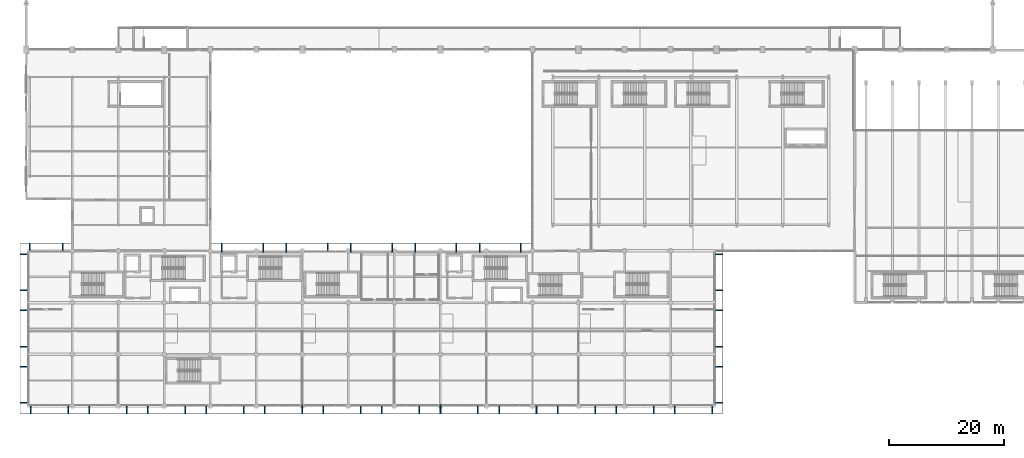
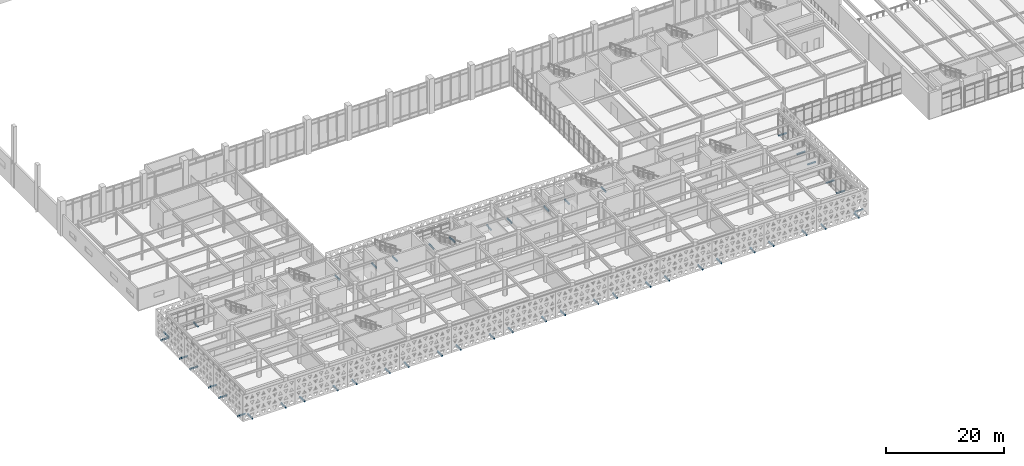
# One storey, part 71 of 84: 48 discrete accessories.
"""IFC4 building model written with IfcOpenShell, lengths in metres."""

from ifc_helpers import new_model, si_unit, direction, frame, origin, origin_2d, place, context, subcontext, project, spatial, rectangle, extrude, material, layer, layer_set, type_object, element, save


model = new_model("IFC4")

# Units and contexts
model_context = context("Model", 3, precision=1e-05, world=origin(), true_north=direction((0.0, 1.0)))
body_context = subcontext(model_context, "Body", "Model", "MODEL_VIEW")
ifc_project = project(units=[si_unit("LENGTHUNIT", "METRE"), si_unit("AREAUNIT", "SQUARE_METRE"), si_unit("VOLUMEUNIT", "CUBIC_METRE"), si_unit("PLANEANGLEUNIT", "RADIAN"), si_unit("MASSUNIT", "GRAM", prefix="KILO")], contexts=[model_context])

# Site, building, storey
site_placement = place(None, origin())
site = spatial("IfcSite", under=ifc_project, at=site_placement, CompositionType="ELEMENT")
building_placement = place(site_placement, origin())
building = spatial("IfcBuilding", under=site, at=building_placement, Name="Tlacozan Convention Centre", CompositionType="ELEMENT")
storey_placement = place(building_placement, frame((0.0, 0.0, 6.0)))
storey = spatial("IfcBuildingStorey", under=building, at=storey_placement, Name="L01", CompositionType="ELEMENT", Elevation=6.0)

# Discrete accessories
ifc_material = material(Name="Steel ASTM A572 Grade 50", Category="steel")
ifc_layer = layer(ifc_material, 0.179931640625)
ifc_layer_set = layer_set([ifc_layer], Name="Steel ASTM A572 Grade 50")
discrete_accessory_type = type_object("IfcDiscreteAccessoryType", Name="Screen Steel Outrigger Bracket", PredefinedType="BRACKET", material=ifc_layer_set)
for number, where, z_axis, x_axis, name in (
    (1, (0.78271484375, -0.5048828125, -0.18017578125), (0.0, 0.0, 1.0), (0.0, 1.0, 0.0), "L01 Screen Outrigger Bracket 1"),
    (2, (7.292236328125, -0.5048828125, -0.18017578125), (0.0, 0.0, 1.0), (0.0, 1.0, 0.0), "L01 Screen Outrigger Bracket 2"),
    (3, (10.957763671875, -0.5048828125, -0.18017578125), (0.0, 0.0, 1.0), (0.0, 1.0, 0.0), "L01 Screen Outrigger Bracket 3"),
    (4, (17.46728515625, -0.5048828125, -0.18017578125), (0.0, 0.0, 1.0), (0.0, 1.0, 0.0), "L01 Screen Outrigger Bracket 4"),
    (5, (21.1328125, -0.5048828125, -0.18017578125), (0.0, 0.0, 1.0), (0.0, 1.0, 0.0), "L01 Screen Outrigger Bracket 5"),
    (6, (27.64208984375, -0.5048828125, -0.18017578125), (0.0, 0.0, 1.0), (0.0, 1.0, 0.0), "L01 Screen Outrigger Bracket 6"),
    (7, (31.307861328125, -0.5048828125, -0.18017578125), (0.0, 0.0, 1.0), (0.0, 1.0, 0.0), "L01 Screen Outrigger Bracket 7"),
    (8, (37.817138671875, -0.5048828125, -0.18017578125), (0.0, 0.0, 1.0), (0.0, 1.0, 0.0), "L01 Screen Outrigger Bracket 8"),
    (9, (41.48291015625, -0.5048828125, -0.18017578125), (0.0, 0.0, 1.0), (0.0, 1.0, 0.0), "L01 Screen Outrigger Bracket 9"),
    (10, (47.9921875, -0.5048828125, -0.18017578125), (0.0, 0.0, 1.0), (0.0, 1.0, 0.0), "L01 Screen Outrigger Bracket 10"),
    (11, (51.65771484375, -0.5048828125, -0.18017578125), (0.0, 0.0, 1.0), (0.0, 1.0, 0.0), "L01 Screen Outrigger Bracket 11"),
    (12, (58.167236328125, -0.5048828125, -0.18017578125), (0.0, 0.0, 1.0), (0.0, 1.0, 0.0), "L01 Screen Outrigger Bracket 12"),
    (13, (61.832763671875, -0.5048828125, -0.18017578125), (0.0, 0.0, 1.0), (0.0, 1.0, 0.0), "L01 Screen Outrigger Bracket 13"),
    (14, (68.34228515625, -0.5048828125, -0.18017578125), (0.0, 0.0, 1.0), (0.0, 1.0, 0.0), "L01 Screen Outrigger Bracket 14"),
    (15, (72.0078125, -0.5048828125, -0.18017578125), (0.0, 0.0, 1.0), (0.0, 1.0, 0.0), "L01 Screen Outrigger Bracket 15"),
    (16, (78.51708984375, -0.5048828125, -0.18017578125), (0.0, 0.0, 1.0), (0.0, 1.0, 0.0), "L01 Screen Outrigger Bracket 16"),
    (17, (82.182861328125, -0.5048828125, -0.18017578125), (0.0, 0.0, 1.0), (0.0, 1.0, 0.0), "L01 Screen Outrigger Bracket 17"),
    (18, (88.692138671875, -0.5048828125, -0.18017578125), (0.0, 0.0, 1.0), (0.0, 1.0, 0.0), "L01 Screen Outrigger Bracket 18"),
    (19, (92.35791015625, -0.5048828125, -0.18017578125), (0.0, 0.0, 1.0), (0.0, 1.0, 0.0), "L01 Screen Outrigger Bracket 19"),
    (20, (98.8671875, -0.5048828125, -0.18017578125), (0.0, 0.0, 1.0), (0.0, 1.0, 0.0), "L01 Screen Outrigger Bracket 20"),
    (21, (102.53271484375, -0.5048828125, -0.18017578125), (0.0, 0.0, 1.0), (0.0, 1.0, 0.0), "L01 Screen Outrigger Bracket 21"),
    (22, (109.042236328125, -0.5048828125, -0.18017578125), (0.0, 0.0, 1.0), (0.0, 1.0, 0.0), "L01 Screen Outrigger Bracket 22"),
    (23, (112.707763671875, -0.5048828125, -0.18017578125), (0.0, 0.0, 1.0), (0.0, 1.0, 0.0), "L01 Screen Outrigger Bracket 23"),
    (24, (119.21728515625, -0.5048828125, -0.18017578125), (0.0, 0.0, 1.0), (0.0, 1.0, 0.0), "L01 Screen Outrigger Bracket 24"),
    (25, (-0.304931640625, 0.55908203125, -0.18017578125), (0.0, 0.0, 1.0), (1.0, 0.0, 0.0), "L01 Screen Outrigger Bracket 25"),
    (26, (-0.304931640625, 6.83154296875, -0.18017578125), (0.0, 0.0, 1.0), (1.0, 0.0, 0.0), "L01 Screen Outrigger Bracket 26"),
    (27, (-0.304931640625, 10.36376953125, -0.18017578125), (0.0, 0.0, 1.0), (1.0, 0.0, 0.0), "L01 Screen Outrigger Bracket 27"),
    (28, (-0.304931640625, 16.63623046875, -0.18017578125), (0.0, 0.0, 1.0), (1.0, 0.0, 0.0), "L01 Screen Outrigger Bracket 28"),
    (29, (-0.304931640625, 20.16845703125, -0.18017578125), (0.0, 0.0, 1.0), (1.0, 0.0, 0.0), "L01 Screen Outrigger Bracket 29"),
    (30, (-0.304931640625, 26.44091796875, -0.18017578125), (0.0, 0.0, 1.0), (1.0, 0.0, 0.0), "L01 Screen Outrigger Bracket 30"),
    (31, (120.304931640625, 0.55908203125, -0.18017578125), (0.0, 0.0, 1.0), (-1.0, 0.0, 0.0), "L01 Screen Outrigger Bracket 31"),
    (32, (120.304931640625, 6.83154296875, -0.18017578125), (0.0, 0.0, 1.0), (-1.0, 0.0, 0.0), "L01 Screen Outrigger Bracket 32"),
    (33, (120.304931640625, 10.36376953125, -0.18017578125), (0.0, 0.0, 1.0), (-1.0, 0.0, 0.0), "L01 Screen Outrigger Bracket 33"),
    (34, (120.304931640625, 16.63623046875, -0.18017578125), (0.0, 0.0, 1.0), (-1.0, 0.0, 0.0), "L01 Screen Outrigger Bracket 34"),
    (35, (120.304931640625, 20.16845703125, -0.18017578125), (0.0, 0.0, 1.0), (-1.0, 0.0, 0.0), "L01 Screen Outrigger Bracket 35"),
    (36, (120.304931640625, 26.44091796875, -0.18017578125), (0.0, 0.0, 1.0), (-1.0, 0.0, 0.0), "L01 Screen Outrigger Bracket 36"),
    (37, (0.580322265625, 27.5048828125, -0.18017578125), (0.0, 0.0, 1.0), (0.0, -1.0, 0.0), "L01 Screen Outrigger Bracket 37"),
    (38, (6.36962890625, 27.5048828125, -0.18017578125), (0.0, 0.0, 1.0), (0.0, -1.0, 0.0), "L01 Screen Outrigger Bracket 38"),
    (39, (34.017333984375, 27.5048828125, -0.18017578125), (0.0, 0.0, 1.0), (0.0, -1.0, 0.0), "L01 Screen Outrigger Bracket 39"),
    (40, (41.1826171875, 27.5048828125, -0.18017578125), (0.0, 0.0, 1.0), (0.0, -1.0, 0.0), "L01 Screen Outrigger Bracket 40"),
    (41, (45.21728515625, 27.5048828125, -0.18017578125), (0.0, 0.0, 1.0), (0.0, -1.0, 0.0), "L01 Screen Outrigger Bracket 41"),
    (42, (52.3828125, 27.5048828125, -0.18017578125), (0.0, 0.0, 1.0), (0.0, -1.0, 0.0), "L01 Screen Outrigger Bracket 42"),
    (43, (56.417236328125, 27.5048828125, -0.18017578125), (0.0, 0.0, 1.0), (0.0, -1.0, 0.0), "L01 Screen Outrigger Bracket 43"),
    (44, (63.582763671875, 27.5048828125, -0.18017578125), (0.0, 0.0, 1.0), (0.0, -1.0, 0.0), "L01 Screen Outrigger Bracket 44"),
    (45, (67.6171875, 27.5048828125, -0.18017578125), (0.0, 0.0, 1.0), (0.0, -1.0, 0.0), "L01 Screen Outrigger Bracket 45"),
    (46, (74.78271484375, 27.5048828125, -0.18017578125), (0.0, 0.0, 1.0), (0.0, -1.0, 0.0), "L01 Screen Outrigger Bracket 46"),
    (47, (78.8173828125, 27.5048828125, -0.18017578125), (0.0, 0.0, 1.0), (0.0, -1.0, 0.0), "L01 Screen Outrigger Bracket 47"),
    (48, (85.982666015625, 27.5048828125, -0.18017578125), (0.0, 0.0, 1.0), (0.0, -1.0, 0.0), "L01 Screen Outrigger Bracket 48"),
):
    element("IfcDiscreteAccessory", number, at=place(storey_placement, frame(where, z_axis=z_axis, x_axis=x_axis)), inside=storey, type_object=discrete_accessory_type, Name=name, PredefinedType="BRACKET", context=body_context, shape_type="SweptSolid", body=[
        extrude(rectangle(XDim=1.570068359375, YDim=0.179931640625, at=origin_2d()), origin(), (0.0, 0.0, 1.0), 0.239990234375),
    ])

save(model, "model.ifc")
